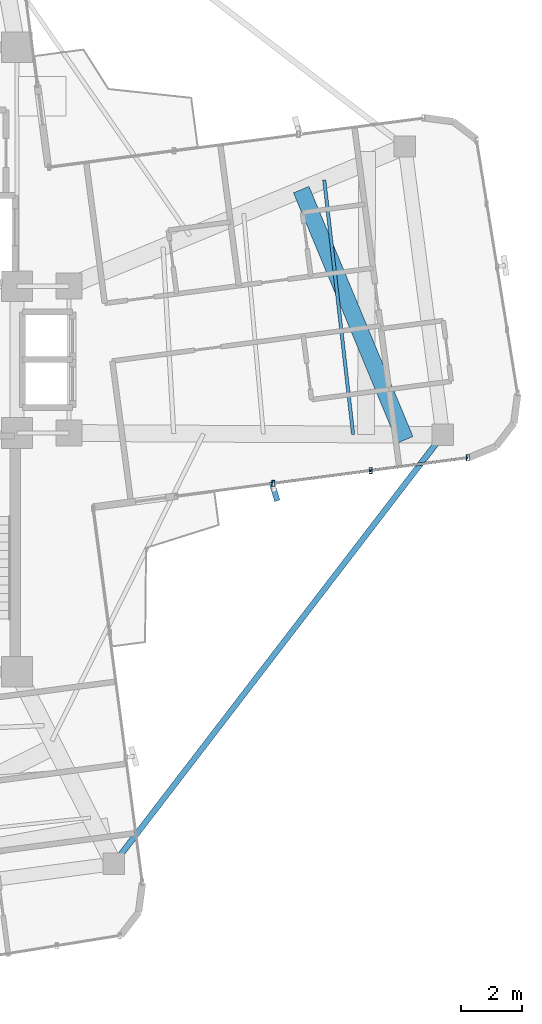
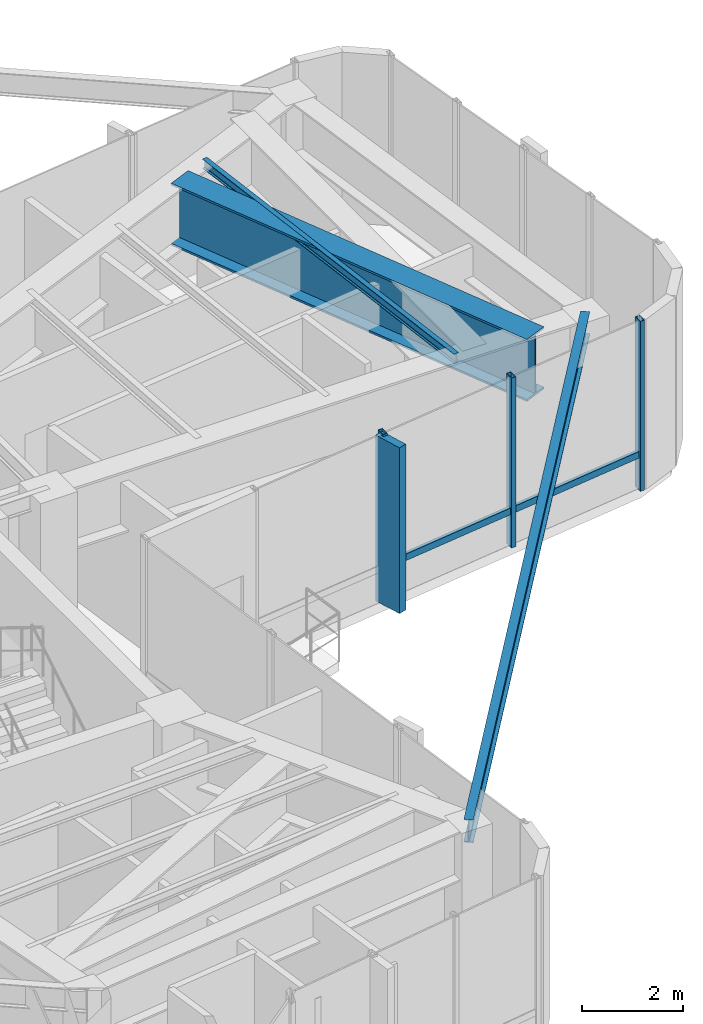
# One storey, part 8 of 18: 6 members, 3 beams, 1 element without a shape of its own.
"""IFC4 building model written with IfcOpenShell, lengths in metres."""

from ifc_helpers import new_model, si_unit, direction, frame, origin, origin_2d, place, context, subcontext, project, spatial, rectangle, hollow_rectangle, i_section, extrude, source, transform, mapped, material, material_profile, profile_set, type_object, element, aggregate, save


model = new_model("IFC4")

# Units and contexts
model_context = context("Model", 3, precision=1e-05, world=origin(), true_north=direction((0.0, 1.0)))
body_context = subcontext(model_context, "Body", "Model", "MODEL_VIEW")
ifc_project = project(units=[si_unit("LENGTHUNIT", "METRE"), si_unit("AREAUNIT", "SQUARE_METRE"), si_unit("VOLUMEUNIT", "CUBIC_METRE"), si_unit("PLANEANGLEUNIT", "RADIAN"), si_unit("MASSUNIT", "GRAM", prefix="KILO")], contexts=[model_context])

# Site, building, storey
site_placement = place(None, origin())
site = spatial("IfcSite", under=ifc_project, at=site_placement, CompositionType="ELEMENT")
building_placement = place(site_placement, origin())
building = spatial("IfcBuilding", under=site, at=building_placement, Name="Sahyath Konkavel Grand Hotel", CompositionType="ELEMENT")
storey_placement = place(building_placement, frame((0.0, 0.0, 275.800048828125)))
storey = spatial("IfcBuildingStorey", under=building, at=storey_placement, Name="L77", CompositionType="ELEMENT", Elevation=275.800048828125)

# Beams
ifc_material_1 = material(Name="Steel E350", Category="steel")
ifc_material_profile_1 = material_profile(ifc_material_1, i_section(OverallWidth=0.110107421875, OverallDepth=0.22509765625, WebThickness=0.006591796875, FlangeThickness=0.01171875, FilletRadius=0.011962890625, at=origin_2d()), Name="ISMB 225")
ifc_profile_set_1 = profile_set([ifc_material_profile_1], Name="Steel E350")
beam_type_1 = type_object("IfcBeamType", Name="BM-ISMB225", PredefinedType="BEAM", material=ifc_profile_set_1)
shared_shape_1 = source(origin(), body_context, "Body", "SweptSolid", [
    extrude(i_section(OverallWidth=0.110107421875, OverallDepth=0.22509765625, WebThickness=0.006591796875, FlangeThickness=0.01171875, FilletRadius=0.011962890625, at=origin_2d()), origin(), (0.0, 0.0, 1.0), 8.36328125),
])
beam_1_placement = place(storey_placement, frame((14.781494140625, -2.44482421875, 3.987548828125), z_axis=(-0.112680437677, 0.99363127918, 0.0), x_axis=(-0.99363127918, -0.112680437677, 0.0)))
element("IfcBeam", 1, at=beam_1_placement, inside=storey, type_object=beam_type_1, Name="L77 Secondary Floor Beam E-3", PredefinedType="BEAM", context=body_context, shape_type="MappedRepresentation", body=[
    mapped(shared_shape_1, transform((0.0, 0.0, 0.0), scale=1.0)),
])
ifc_material_2 = material(Name="Steel E450", Category="steel")
ifc_material_profile_2 = material_profile(ifc_material_2, i_section(OverallWidth=0.550048828125, OverallDepth=1.5, WebThickness=0.028076171875, FlangeThickness=0.050048828125, at=origin_2d()), Name="BPG 1500x550")
ifc_profile_set_2 = profile_set([ifc_material_profile_2], Name="Steel E450")
beam_type_2 = type_object("IfcBeamType", Name="BM-BPG1500", PredefinedType="BEAM", material=ifc_profile_set_2)
shared_shape_2 = source(origin(), body_context, "Body", "SweptSolid", [
    extrude(i_section(OverallWidth=0.550048828125, OverallDepth=1.5, WebThickness=0.028076171875, FlangeThickness=0.050048828125, at=origin_2d()), origin(), (0.0, 0.0, 1.0), 8.85107421875),
])
beam_2_placement = place(storey_placement, frame((16.483154296875, -2.620849609375, 3.349853515625), z_axis=(-0.383741680427, 0.923440481408, 0.0), x_axis=(-0.923440481408, -0.383741680427, 0.0)))
element("IfcBeam", 2, at=beam_2_placement, inside=storey, type_object=beam_type_2, Name="L77 Setback Cross Transfer Girder E-1", PredefinedType="BEAM", context=body_context, shape_type="MappedRepresentation", body=[
    mapped(shared_shape_2, transform((0.0, 0.0, 0.0), scale=1.0)),
])
ifc_material_profile_3 = material_profile(ifc_material_1, i_section(OverallWidth=0.18994140625, OverallDepth=0.550048828125, WebThickness=0.01123046875, FlangeThickness=0.019287109375, FilletRadius=0.01806640625, at=origin_2d()), Name="ISMB 550")
ifc_profile_set_3 = profile_set([ifc_material_profile_3], Name="Steel E350")
beam_type_3 = type_object("IfcBeamType", Name="BM-ISMB550", PredefinedType="BEAM", material=ifc_profile_set_3)
shared_shape_3 = source(origin(), body_context, "Body", "SweptSolid", [
    extrude(i_section(OverallWidth=0.18994140625, OverallDepth=0.550048828125, WebThickness=0.01123046875, FlangeThickness=0.019287109375, FilletRadius=0.01806640625, at=origin_2d()), origin(), (0.0, 0.0, 1.0), 17.663330078125),
])
beam_3_placement = place(storey_placement, frame((17.71240234375, -2.458984375, 3.824951171875), z_axis=(-0.608754453805, -0.793358692504, 0.0), x_axis=(0.793358692504, -0.608754453805, 0.0)))
element("IfcBeam", 3, at=beam_3_placement, inside=storey, type_object=beam_type_3, Name="L77 Re-Entrant Tie Beam SE", PredefinedType="BEAM", context=body_context, shape_type="MappedRepresentation", body=[
    mapped(shared_shape_3, transform((0.0, 0.0, 0.0), scale=1.0)),
])

# Curtain wall, members
ifc_material_3 = material(Name="Anodised Bronze Aluminium & Low-E Glazing", Category="aluminium")
curtain_wall_type = type_object("IfcCurtainWallType", Name="CW-ZONE4", PredefinedType="NOTDEFINED", material=ifc_material_3)
curtain_wall_placement = place(storey_placement, origin())
curtain_wall = element("IfcCurtainWall", 4, at=curtain_wall_placement, inside=storey, type_object=curtain_wall_type, Name="L77 Unitised Curtain Wall F0", PredefinedType="NOTDEFINED")
ifc_material_4 = material(Name="Anodised Bronze Aluminium", Category="aluminium")
ifc_material_profile_4 = material_profile(ifc_material_4, hollow_rectangle(XDim=0.10009765625, YDim=0.199951171875, WallThickness=0.008056640625, at=origin_2d()), Name="RHS 200x100x8")
ifc_profile_set_4 = profile_set([ifc_material_profile_4], Name="Anodised Bronze Aluminium")
member_type_1 = type_object("IfcMemberType", Name="CW-MUL-200", PredefinedType="MULLION", material=ifc_profile_set_4)
shared_shape_4 = source(origin(), body_context, "Body", "SweptSolid", [
    extrude(hollow_rectangle(XDim=0.10009765625, YDim=0.199951171875, WallThickness=0.008056640625, at=origin_2d()), origin(), (0.0, 0.0, 1.0), 4.099853515625),
])
member_1_placement = place(storey_placement, frame((12.175537109375, -4.04541015625, 0.0), z_axis=(0.0, 0.0, 1.0), x_axis=(1.0, 0.0, 0.0)))
member_1 = element("IfcMember", 5, at=member_1_placement, type_object=member_type_1, Name="L77 Curtain Wall Mullion F0-1", PredefinedType="MULLION", context=body_context, shape_type="MappedRepresentation", body=[
    mapped(shared_shape_4, transform((0.0, 0.0, 0.0), scale=1.0)),
])
member_2_placement = place(storey_placement, frame((15.351318359375, -3.627197265625, 0.0), z_axis=(0.0, 0.0, 1.0), x_axis=(1.0, 0.0, 0.0)))
member_2 = element("IfcMember", 6, at=member_2_placement, type_object=member_type_1, Name="L77 Curtain Wall Mullion F0-2", PredefinedType="MULLION", context=body_context, shape_type="MappedRepresentation", body=[
    mapped(shared_shape_4, transform((0.0, 0.0, 0.0), scale=1.0)),
])
member_3_placement = place(storey_placement, frame((18.52734375, -3.208984375, 0.0), z_axis=(0.0, 0.0, 1.0), x_axis=(1.0, 0.0, 0.0)))
member_3 = element("IfcMember", 7, at=member_3_placement, type_object=member_type_1, Name="L77 Curtain Wall Mullion F0-3", PredefinedType="MULLION", context=body_context, shape_type="MappedRepresentation", body=[
    mapped(shared_shape_4, transform((0.0, 0.0, 0.0), scale=1.0)),
])
ifc_material_5 = material(Name="Warm Buff Sandstone Cladding on Concrete C50/60", Category="masonry")
ifc_material_profile_5 = material_profile(ifc_material_5, rectangle(XDim=0.179931640625, YDim=0.64990234375, at=origin_2d()), Name="FIN 180x650")
ifc_profile_set_5 = profile_set([ifc_material_profile_5], Name="Warm Buff Sandstone Cladding on Concrete C50/60")
member_type_2 = type_object("IfcMemberType", Name="FIN-SANDSTONE-650", PredefinedType="MULLION", material=ifc_profile_set_5)
shared_shape_5 = source(origin(), body_context, "Body", "SweptSolid", [
    extrude(rectangle(XDim=0.179931640625, YDim=0.64990234375, at=origin_2d()), origin(), (0.0, 0.0, 1.0), 4.0),
])
member_4_placement = place(storey_placement, frame((12.20947265625, -4.30322265625, 0.050048828125), z_axis=(0.0, 0.0, 1.0), x_axis=(0.956610402488, 0.291370104596, 0.0)))
member_4 = element("IfcMember", 8, at=member_4_placement, type_object=member_type_2, Name="L77 Sandstone Vertical Solar Fin FIN F0-1", PredefinedType="MULLION", context=body_context, shape_type="MappedRepresentation", body=[
    mapped(shared_shape_5, transform((0.0, 0.0, 0.0), scale=1.0)),
])
ifc_material_profile_6 = material_profile(ifc_material_4, hollow_rectangle(XDim=0.080078125, YDim=0.159912109375, WallThickness=0.006103515625, at=origin_2d()), Name="RHS 160x80x6")
ifc_profile_set_6 = profile_set([ifc_material_profile_6], Name="Anodised Bronze Aluminium")
member_type_3 = type_object("IfcMemberType", Name="CW-TRN-160", PredefinedType="USERDEFINED", material=ifc_profile_set_6)
shared_shape_6 = source(origin(), body_context, "Body", "SweptSolid", [
    extrude(hollow_rectangle(XDim=0.080078125, YDim=0.159912109375, WallThickness=0.006103515625, at=origin_2d()), origin(), (0.0, 0.0, 1.0), 3.203369140625),
])
member_5_placement = place(storey_placement, frame((15.351318359375, -3.627197265625, 0.849853515625), z_axis=(0.991441580194, 0.130551112835, 0.0), x_axis=(-0.130551112835, 0.991441580194, 0.0)))
member_5 = element("IfcMember", 9, at=member_5_placement, type_object=member_type_3, Name="L77 Curtain Wall Transom F0-2-spandrel", ObjectType="TRANSOM", PredefinedType="USERDEFINED", context=body_context, shape_type="MappedRepresentation", body=[
    mapped(shared_shape_6, transform((0.0, 0.0, 0.0), scale=1.0)),
])
shared_shape_7 = source(origin(), body_context, "Body", "SweptSolid", [
    extrude(hollow_rectangle(XDim=0.080078125, YDim=0.159912109375, WallThickness=0.006103515625, at=origin_2d()), origin(), (0.0, 0.0, 1.0), 3.203125),
])
member_6_placement = place(storey_placement, frame((12.175537109375, -4.04541015625, 0.849853515625), z_axis=(0.991440281121, 0.13056097798, 0.0), x_axis=(-0.13056097798, 0.991440281121, 0.0)))
member_6 = element("IfcMember", 10, at=member_6_placement, type_object=member_type_3, Name="L77 Curtain Wall Transom F0-1-spandrel", ObjectType="TRANSOM", PredefinedType="USERDEFINED", context=body_context, shape_type="MappedRepresentation", body=[
    mapped(shared_shape_7, transform((0.0, 0.0, 0.0), scale=1.0)),
])
aggregate(curtain_wall, [member_1, member_4, member_2, member_3, member_6, member_5])

save(model, "model.ifc")
